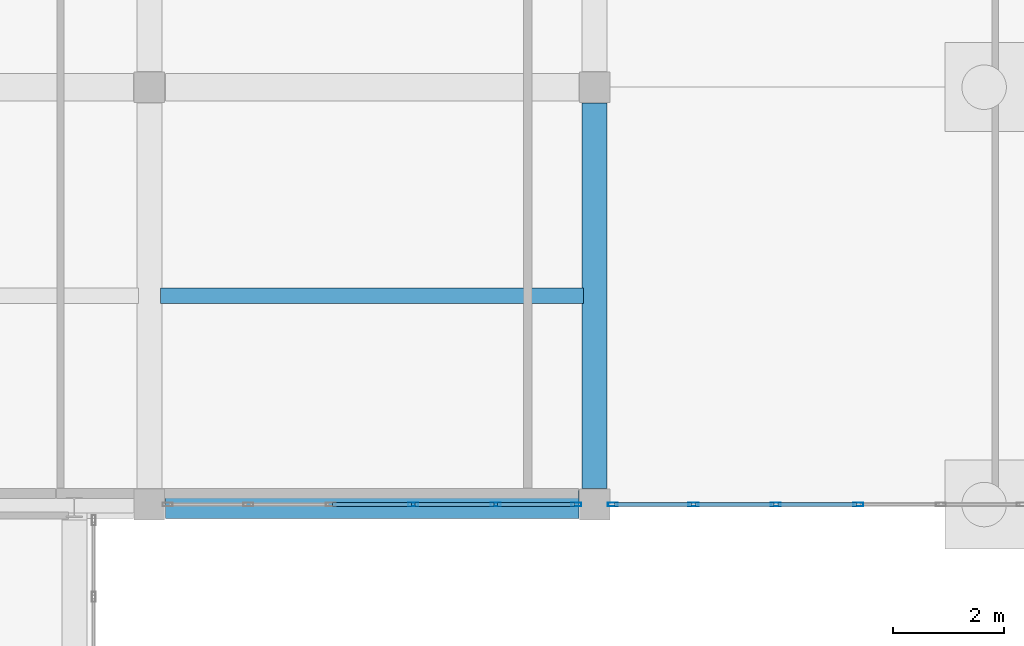
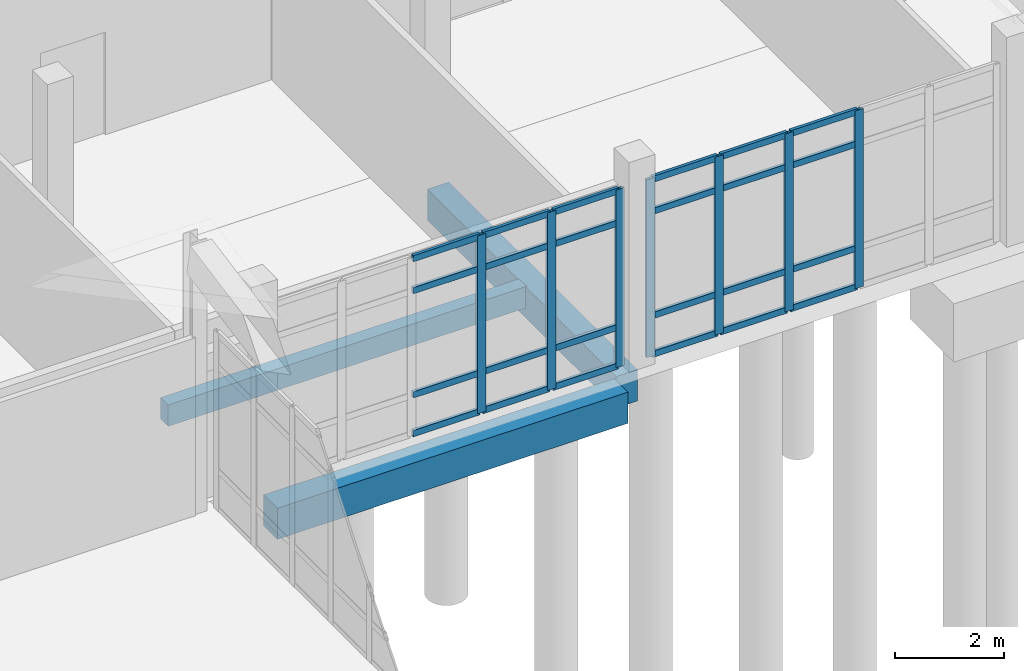
# One storey, part 111 of 173: 31 members, 3 beams, 2 elements without a shape of their own.
"""IFC4 building model written with IfcOpenShell, lengths in metres."""

from ifc_helpers import new_model, si_unit, direction, frame, origin, origin_2d, place, context, subcontext, project, spatial, rectangle, hollow_rectangle, extrude, material, layer, layer_set, material_profile, profile_set, type_object, element, aggregate, save


model = new_model("IFC4")

# Units and contexts
model_context = context("Model", 3, precision=1e-05, world=origin(), true_north=direction((0.0, 1.0)))
body_context = subcontext(model_context, "Body", "Model", "MODEL_VIEW")
ifc_project = project(units=[si_unit("LENGTHUNIT", "METRE"), si_unit("AREAUNIT", "SQUARE_METRE"), si_unit("VOLUMEUNIT", "CUBIC_METRE"), si_unit("PLANEANGLEUNIT", "RADIAN"), si_unit("MASSUNIT", "GRAM", prefix="KILO")], contexts=[model_context])

# Site, building, storey
site_placement = place(None, origin())
site = spatial("IfcSite", under=ifc_project, at=site_placement, CompositionType="ELEMENT")
building_placement = place(site_placement, origin())
building = spatial("IfcBuilding", under=site, at=building_placement, Name="Mawjan Specialist Oncology Clinic", CompositionType="ELEMENT")
storey_placement = place(building_placement, origin())
storey = spatial("IfcBuildingStorey", under=building, at=storey_placement, Name="L00", CompositionType="ELEMENT", Elevation=0.0)

# Beam
ifc_material_1 = material(Name="Concrete C40/50", Category="concrete")
ifc_material_profile_1 = material_profile(ifc_material_1, rectangle(XDim=0.449951171875, YDim=0.699951171875, at=origin_2d()), Name="RC BM 450x700", Category="concrete")
ifc_profile_set_1 = profile_set([ifc_material_profile_1], Name="Concrete C40/50")
beam_type_1 = type_object("IfcBeamType", Name="BM-450x700", PredefinedType="BEAM", material=ifc_profile_set_1)
beam_1_placement = place(storey_placement, frame((148.0, 76.0849609375, -0.800048828125), z_axis=(0.0, 1.0, 0.0), x_axis=(-1.0, 0.0, 0.0)))
element("IfcBeam", 1, at=beam_1_placement, inside=storey, type_object=beam_type_1, Name="L00 Collector Beam BM-L00-0203", PredefinedType="BEAM", context=body_context, shape_type="SweptSolid", body=[
    extrude(rectangle(XDim=0.449951171875, YDim=0.699951171875, at=origin_2d()), origin(), (0.0, 0.0, 1.0), 6.929931640625),
])

# Curtain wall, members
ifc_material_2 = material(Name="Unitised spectrally selective aluminium curtain wall", Category="aluminium")
ifc_layer = layer(ifc_material_2, 0.179931640625, Name="Unitised spectrally selective aluminium curtain wall", Category="aluminium")
ifc_layer_set = layer_set([ifc_layer], Name="Unitised spectrally selective aluminium curtain wall")
curtain_wall_type = type_object("IfcCurtainWallType", Name="CW-17", PredefinedType="NOTDEFINED", material=ifc_layer_set)
curtain_wall_1_placement = place(storey_placement, origin())
curtain_wall_1 = element("IfcCurtainWall", 2, at=curtain_wall_1_placement, inside=storey, type_object=curtain_wall_type, Name="L00 Unitised Curtain Wall CW-L00-030", PredefinedType="NOTDEFINED")
ifc_material_3 = material(Name="Thermally broken aluminium 6063-T6", Category="aluminium")
ifc_material_profile_2 = material_profile(ifc_material_3, hollow_rectangle(XDim=0.06494140625, YDim=0.179931640625, WallThickness=0.00390625, at=origin_2d()), Name="ALU MULLION 180x65x4", Category="aluminium")
ifc_profile_set_2 = profile_set([ifc_material_profile_2], Name="Thermally broken aluminium 6063-T6")
member_type_1 = type_object("IfcMemberType", Name="CW-M180", PredefinedType="MULLION", material=ifc_profile_set_2)
member_1_placement = place(storey_placement, frame((152.740966796875, 75.800048828125, 0.0), z_axis=(0.0, 0.0, 1.0), x_axis=(0.0, -1.0, 0.0)))
member_1 = element("IfcMember", 3, at=member_1_placement, type_object=member_type_1, Name="CW-17 mullion 3", PredefinedType="MULLION", context=body_context, shape_type="SweptSolid", body=[
    extrude(hollow_rectangle(XDim=0.06494140625, YDim=0.179931640625, WallThickness=0.00390625, at=origin_2d()), origin(), (0.0, 0.0, 1.0), 3.985107421875),
])
member_2_placement = place(storey_placement, frame((151.259033203125, 75.800048828125, 0.0), z_axis=(0.0, 0.0, 1.0), x_axis=(0.0, -1.0, 0.0)))
member_2 = element("IfcMember", 4, at=member_2_placement, type_object=member_type_1, Name="CW-17 mullion 4", PredefinedType="MULLION", context=body_context, shape_type="SweptSolid", body=[
    extrude(hollow_rectangle(XDim=0.06494140625, YDim=0.179931640625, WallThickness=0.00390625, at=origin_2d()), origin(), (0.0, 0.0, 1.0), 3.985107421875),
])
member_3_placement = place(storey_placement, frame((149.777099609375, 75.800048828125, 0.0), z_axis=(0.0, 0.0, 1.0), x_axis=(0.0, -1.0, 0.0)))
member_3 = element("IfcMember", 5, at=member_3_placement, type_object=member_type_1, Name="CW-17 mullion 5", PredefinedType="MULLION", context=body_context, shape_type="SweptSolid", body=[
    extrude(hollow_rectangle(XDim=0.06494140625, YDim=0.179931640625, WallThickness=0.00390625, at=origin_2d()), origin(), (0.0, 0.0, 1.0), 3.985107421875),
])
member_4_placement = place(storey_placement, frame((148.327392578125, 75.800048828125, 0.0), z_axis=(0.0, 0.0, 1.0), x_axis=(0.0, -1.0, 0.0)))
member_4 = element("IfcMember", 6, at=member_4_placement, type_object=member_type_1, Name="CW-17 mullion 6", PredefinedType="MULLION", context=body_context, shape_type="SweptSolid", body=[
    extrude(hollow_rectangle(XDim=0.06494140625, YDim=0.179931640625, WallThickness=0.00390625, at=origin_2d()), origin(), (0.0, 0.0, 1.0), 3.985107421875),
])

curtain_wall_2_placement = place(storey_placement, origin())
curtain_wall_2 = element("IfcCurtainWall", 7, at=curtain_wall_2_placement, inside=storey, type_object=curtain_wall_type, Name="L00 Unitised Curtain Wall CW-L00-031", PredefinedType="NOTDEFINED")
member_5_placement = place(storey_placement, frame((147.672607421875, 75.800048828125, 0.0), z_axis=(0.0, 0.0, 1.0), x_axis=(0.0, -1.0, 0.0)))
member_5 = element("IfcMember", 8, at=member_5_placement, type_object=member_type_1, Name="CW-17 mullion 1", PredefinedType="MULLION", context=body_context, shape_type="SweptSolid", body=[
    extrude(hollow_rectangle(XDim=0.06494140625, YDim=0.179931640625, WallThickness=0.00390625, at=origin_2d()), origin(), (0.0, 0.0, 1.0), 3.985107421875),
])
member_6_placement = place(storey_placement, frame((146.222900390625, 75.800048828125, 0.0), z_axis=(0.0, 0.0, 1.0), x_axis=(0.0, -1.0, 0.0)))
member_6 = element("IfcMember", 9, at=member_6_placement, type_object=member_type_1, Name="CW-17 mullion 2", PredefinedType="MULLION", context=body_context, shape_type="SweptSolid", body=[
    extrude(hollow_rectangle(XDim=0.06494140625, YDim=0.179931640625, WallThickness=0.00390625, at=origin_2d()), origin(), (0.0, 0.0, 1.0), 3.985107421875),
])
member_7_placement = place(storey_placement, frame((144.740966796875, 75.800048828125, 0.0), z_axis=(0.0, 0.0, 1.0), x_axis=(0.0, -1.0, 0.0)))
member_7 = element("IfcMember", 10, at=member_7_placement, type_object=member_type_1, Name="CW-17 mullion 3", PredefinedType="MULLION", context=body_context, shape_type="SweptSolid", body=[
    extrude(hollow_rectangle(XDim=0.06494140625, YDim=0.179931640625, WallThickness=0.00390625, at=origin_2d()), origin(), (0.0, 0.0, 1.0), 3.985107421875),
])

# Member
ifc_material_4 = material(Name="Thermally broken aluminium 6063-T6", Category="aluminium")
ifc_material_profile_3 = material_profile(ifc_material_4, hollow_rectangle(XDim=0.06494140625, YDim=0.139892578125, WallThickness=0.00390625, at=origin_2d()), Name="ALU TRANSOM 140x65x4", Category="aluminium")
ifc_profile_set_3 = profile_set([ifc_material_profile_3], Name="Thermally broken aluminium 6063-T6")
member_type_2 = type_object("IfcMemberType", Name="CW-T140", PredefinedType="USERDEFINED", material=ifc_profile_set_3)
member_8_placement = place(storey_placement, frame((152.70849609375, 75.800048828125, 0.032470703125), z_axis=(-1.0, 0.0, 0.0), x_axis=(0.0, -1.0, 0.0)))
member_8 = element("IfcMember", 11, at=member_8_placement, type_object=member_type_2, Name="CW-17 transom 3.1", ObjectType="TRANSOM", PredefinedType="USERDEFINED", context=body_context, shape_type="SweptSolid", body=[
    extrude(hollow_rectangle(XDim=0.06494140625, YDim=0.139892578125, WallThickness=0.00390625, at=origin_2d()), origin(), (0.0, 0.0, 1.0), 1.4169921875),
])

member_9_placement = place(storey_placement, frame((152.70849609375, 75.800048828125, 0.89990234375), z_axis=(-1.0, 0.0, 0.0), x_axis=(0.0, -1.0, 0.0)))
member_9 = element("IfcMember", 12, at=member_9_placement, type_object=member_type_2, Name="CW-17 transom 3.2", ObjectType="TRANSOM", PredefinedType="USERDEFINED", context=body_context, shape_type="SweptSolid", body=[
    extrude(hollow_rectangle(XDim=0.06494140625, YDim=0.139892578125, WallThickness=0.00390625, at=origin_2d()), origin(), (0.0, 0.0, 1.0), 1.4169921875),
])

member_10_placement = place(storey_placement, frame((152.70849609375, 75.800048828125, 3.235107421875), z_axis=(-1.0, 0.0, 0.0), x_axis=(0.0, -1.0, 0.0)))
member_10 = element("IfcMember", 13, at=member_10_placement, type_object=member_type_2, Name="CW-17 transom 3.3", ObjectType="TRANSOM", PredefinedType="USERDEFINED", context=body_context, shape_type="SweptSolid", body=[
    extrude(hollow_rectangle(XDim=0.06494140625, YDim=0.139892578125, WallThickness=0.00390625, at=origin_2d()), origin(), (0.0, 0.0, 1.0), 1.4169921875),
])

member_11_placement = place(storey_placement, frame((152.70849609375, 75.800048828125, 3.952392578125), z_axis=(-1.0, 0.0, 0.0), x_axis=(0.0, -1.0, 0.0)))
member_11 = element("IfcMember", 14, at=member_11_placement, type_object=member_type_2, Name="CW-17 transom 3.4", ObjectType="TRANSOM", PredefinedType="USERDEFINED", context=body_context, shape_type="SweptSolid", body=[
    extrude(hollow_rectangle(XDim=0.06494140625, YDim=0.139892578125, WallThickness=0.00390625, at=origin_2d()), origin(), (0.0, 0.0, 1.0), 1.4169921875),
])

member_12_placement = place(storey_placement, frame((151.2265625, 75.800048828125, 0.032470703125), z_axis=(-1.0, 0.0, 0.0), x_axis=(0.0, -1.0, 0.0)))
member_12 = element("IfcMember", 15, at=member_12_placement, type_object=member_type_2, Name="CW-17 transom 4.1", ObjectType="TRANSOM", PredefinedType="USERDEFINED", context=body_context, shape_type="SweptSolid", body=[
    extrude(hollow_rectangle(XDim=0.06494140625, YDim=0.139892578125, WallThickness=0.00390625, at=origin_2d()), origin(), (0.0, 0.0, 1.0), 1.4169921875),
])

member_13_placement = place(storey_placement, frame((151.2265625, 75.800048828125, 0.89990234375), z_axis=(-1.0, 0.0, 0.0), x_axis=(0.0, -1.0, 0.0)))
member_13 = element("IfcMember", 16, at=member_13_placement, type_object=member_type_2, Name="CW-17 transom 4.2", ObjectType="TRANSOM", PredefinedType="USERDEFINED", context=body_context, shape_type="SweptSolid", body=[
    extrude(hollow_rectangle(XDim=0.06494140625, YDim=0.139892578125, WallThickness=0.00390625, at=origin_2d()), origin(), (0.0, 0.0, 1.0), 1.4169921875),
])

member_14_placement = place(storey_placement, frame((151.2265625, 75.800048828125, 3.235107421875), z_axis=(-1.0, 0.0, 0.0), x_axis=(0.0, -1.0, 0.0)))
member_14 = element("IfcMember", 17, at=member_14_placement, type_object=member_type_2, Name="CW-17 transom 4.3", ObjectType="TRANSOM", PredefinedType="USERDEFINED", context=body_context, shape_type="SweptSolid", body=[
    extrude(hollow_rectangle(XDim=0.06494140625, YDim=0.139892578125, WallThickness=0.00390625, at=origin_2d()), origin(), (0.0, 0.0, 1.0), 1.4169921875),
])

member_15_placement = place(storey_placement, frame((151.2265625, 75.800048828125, 3.952392578125), z_axis=(-1.0, 0.0, 0.0), x_axis=(0.0, -1.0, 0.0)))
member_15 = element("IfcMember", 18, at=member_15_placement, type_object=member_type_2, Name="CW-17 transom 4.4", ObjectType="TRANSOM", PredefinedType="USERDEFINED", context=body_context, shape_type="SweptSolid", body=[
    extrude(hollow_rectangle(XDim=0.06494140625, YDim=0.139892578125, WallThickness=0.00390625, at=origin_2d()), origin(), (0.0, 0.0, 1.0), 1.4169921875),
])

member_16_placement = place(storey_placement, frame((149.744384765625, 75.800048828125, 0.032470703125), z_axis=(-1.0, 0.0, 0.0), x_axis=(0.0, -1.0, 0.0)))
member_16 = element("IfcMember", 19, at=member_16_placement, type_object=member_type_2, Name="CW-17 transom 5.1", ObjectType="TRANSOM", PredefinedType="USERDEFINED", context=body_context, shape_type="SweptSolid", body=[
    extrude(hollow_rectangle(XDim=0.06494140625, YDim=0.139892578125, WallThickness=0.00390625, at=origin_2d()), origin(), (0.0, 0.0, 1.0), 1.38427734375),
])

member_17_placement = place(storey_placement, frame((149.744384765625, 75.800048828125, 0.89990234375), z_axis=(-1.0, 0.0, 0.0), x_axis=(0.0, -1.0, 0.0)))
member_17 = element("IfcMember", 20, at=member_17_placement, type_object=member_type_2, Name="CW-17 transom 5.2", ObjectType="TRANSOM", PredefinedType="USERDEFINED", context=body_context, shape_type="SweptSolid", body=[
    extrude(hollow_rectangle(XDim=0.06494140625, YDim=0.139892578125, WallThickness=0.00390625, at=origin_2d()), origin(), (0.0, 0.0, 1.0), 1.38427734375),
])

member_18_placement = place(storey_placement, frame((149.744384765625, 75.800048828125, 3.235107421875), z_axis=(-1.0, 0.0, 0.0), x_axis=(0.0, -1.0, 0.0)))
member_18 = element("IfcMember", 21, at=member_18_placement, type_object=member_type_2, Name="CW-17 transom 5.3", ObjectType="TRANSOM", PredefinedType="USERDEFINED", context=body_context, shape_type="SweptSolid", body=[
    extrude(hollow_rectangle(XDim=0.06494140625, YDim=0.139892578125, WallThickness=0.00390625, at=origin_2d()), origin(), (0.0, 0.0, 1.0), 1.38427734375),
])

member_19_placement = place(storey_placement, frame((149.744384765625, 75.800048828125, 3.952392578125), z_axis=(-1.0, 0.0, 0.0), x_axis=(0.0, -1.0, 0.0)))
member_19 = element("IfcMember", 22, at=member_19_placement, type_object=member_type_2, Name="CW-17 transom 5.4", ObjectType="TRANSOM", PredefinedType="USERDEFINED", context=body_context, shape_type="SweptSolid", body=[
    extrude(hollow_rectangle(XDim=0.06494140625, YDim=0.139892578125, WallThickness=0.00390625, at=origin_2d()), origin(), (0.0, 0.0, 1.0), 1.38427734375),
])

aggregate(curtain_wall_1, [member_1, member_2, member_3, member_4, member_8, member_9, member_10, member_11, member_12, member_13, member_14, member_15, member_16, member_17, member_18, member_19])

member_20_placement = place(storey_placement, frame((147.639892578125, 75.800048828125, 0.032470703125), z_axis=(-1.0, 0.0, 0.0), x_axis=(0.0, -1.0, 0.0)))
member_20 = element("IfcMember", 23, at=member_20_placement, type_object=member_type_2, Name="CW-17 transom 1.1", ObjectType="TRANSOM", PredefinedType="USERDEFINED", context=body_context, shape_type="SweptSolid", body=[
    extrude(hollow_rectangle(XDim=0.06494140625, YDim=0.139892578125, WallThickness=0.00390625, at=origin_2d()), origin(), (0.0, 0.0, 1.0), 1.38427734375),
])

member_21_placement = place(storey_placement, frame((147.639892578125, 75.800048828125, 0.89990234375), z_axis=(-1.0, 0.0, 0.0), x_axis=(0.0, -1.0, 0.0)))
member_21 = element("IfcMember", 24, at=member_21_placement, type_object=member_type_2, Name="CW-17 transom 1.2", ObjectType="TRANSOM", PredefinedType="USERDEFINED", context=body_context, shape_type="SweptSolid", body=[
    extrude(hollow_rectangle(XDim=0.06494140625, YDim=0.139892578125, WallThickness=0.00390625, at=origin_2d()), origin(), (0.0, 0.0, 1.0), 1.38427734375),
])

member_22_placement = place(storey_placement, frame((147.639892578125, 75.800048828125, 3.235107421875), z_axis=(-1.0, 0.0, 0.0), x_axis=(0.0, -1.0, 0.0)))
member_22 = element("IfcMember", 25, at=member_22_placement, type_object=member_type_2, Name="CW-17 transom 1.3", ObjectType="TRANSOM", PredefinedType="USERDEFINED", context=body_context, shape_type="SweptSolid", body=[
    extrude(hollow_rectangle(XDim=0.06494140625, YDim=0.139892578125, WallThickness=0.00390625, at=origin_2d()), origin(), (0.0, 0.0, 1.0), 1.38427734375),
])

member_23_placement = place(storey_placement, frame((147.639892578125, 75.800048828125, 3.952392578125), z_axis=(-1.0, 0.0, 0.0), x_axis=(0.0, -1.0, 0.0)))
member_23 = element("IfcMember", 26, at=member_23_placement, type_object=member_type_2, Name="CW-17 transom 1.4", ObjectType="TRANSOM", PredefinedType="USERDEFINED", context=body_context, shape_type="SweptSolid", body=[
    extrude(hollow_rectangle(XDim=0.06494140625, YDim=0.139892578125, WallThickness=0.00390625, at=origin_2d()), origin(), (0.0, 0.0, 1.0), 1.38427734375),
])

member_24_placement = place(storey_placement, frame((146.1904296875, 75.800048828125, 0.032470703125), z_axis=(-1.0, 0.0, 0.0), x_axis=(0.0, -1.0, 0.0)))
member_24 = element("IfcMember", 27, at=member_24_placement, type_object=member_type_2, Name="CW-17 transom 2.1", ObjectType="TRANSOM", PredefinedType="USERDEFINED", context=body_context, shape_type="SweptSolid", body=[
    extrude(hollow_rectangle(XDim=0.06494140625, YDim=0.139892578125, WallThickness=0.00390625, at=origin_2d()), origin(), (0.0, 0.0, 1.0), 1.4169921875),
])

member_25_placement = place(storey_placement, frame((146.1904296875, 75.800048828125, 0.89990234375), z_axis=(-1.0, 0.0, 0.0), x_axis=(0.0, -1.0, 0.0)))
member_25 = element("IfcMember", 28, at=member_25_placement, type_object=member_type_2, Name="CW-17 transom 2.2", ObjectType="TRANSOM", PredefinedType="USERDEFINED", context=body_context, shape_type="SweptSolid", body=[
    extrude(hollow_rectangle(XDim=0.06494140625, YDim=0.139892578125, WallThickness=0.00390625, at=origin_2d()), origin(), (0.0, 0.0, 1.0), 1.4169921875),
])

member_26_placement = place(storey_placement, frame((146.1904296875, 75.800048828125, 3.235107421875), z_axis=(-1.0, 0.0, 0.0), x_axis=(0.0, -1.0, 0.0)))
member_26 = element("IfcMember", 29, at=member_26_placement, type_object=member_type_2, Name="CW-17 transom 2.3", ObjectType="TRANSOM", PredefinedType="USERDEFINED", context=body_context, shape_type="SweptSolid", body=[
    extrude(hollow_rectangle(XDim=0.06494140625, YDim=0.139892578125, WallThickness=0.00390625, at=origin_2d()), origin(), (0.0, 0.0, 1.0), 1.4169921875),
])

member_27_placement = place(storey_placement, frame((146.1904296875, 75.800048828125, 3.952392578125), z_axis=(-1.0, 0.0, 0.0), x_axis=(0.0, -1.0, 0.0)))
member_27 = element("IfcMember", 30, at=member_27_placement, type_object=member_type_2, Name="CW-17 transom 2.4", ObjectType="TRANSOM", PredefinedType="USERDEFINED", context=body_context, shape_type="SweptSolid", body=[
    extrude(hollow_rectangle(XDim=0.06494140625, YDim=0.139892578125, WallThickness=0.00390625, at=origin_2d()), origin(), (0.0, 0.0, 1.0), 1.4169921875),
])

member_28_placement = place(storey_placement, frame((144.70849609375, 75.800048828125, 0.032470703125), z_axis=(-1.0, 0.0, 0.0), x_axis=(0.0, -1.0, 0.0)))
member_28 = element("IfcMember", 31, at=member_28_placement, type_object=member_type_2, Name="CW-17 transom 3.1", ObjectType="TRANSOM", PredefinedType="USERDEFINED", context=body_context, shape_type="SweptSolid", body=[
    extrude(hollow_rectangle(XDim=0.06494140625, YDim=0.139892578125, WallThickness=0.00390625, at=origin_2d()), origin(), (0.0, 0.0, 1.0), 1.4169921875),
])

member_29_placement = place(storey_placement, frame((144.70849609375, 75.800048828125, 0.89990234375), z_axis=(-1.0, 0.0, 0.0), x_axis=(0.0, -1.0, 0.0)))
member_29 = element("IfcMember", 32, at=member_29_placement, type_object=member_type_2, Name="CW-17 transom 3.2", ObjectType="TRANSOM", PredefinedType="USERDEFINED", context=body_context, shape_type="SweptSolid", body=[
    extrude(hollow_rectangle(XDim=0.06494140625, YDim=0.139892578125, WallThickness=0.00390625, at=origin_2d()), origin(), (0.0, 0.0, 1.0), 1.4169921875),
])

member_30_placement = place(storey_placement, frame((144.70849609375, 75.800048828125, 3.235107421875), z_axis=(-1.0, 0.0, 0.0), x_axis=(0.0, -1.0, 0.0)))
member_30 = element("IfcMember", 33, at=member_30_placement, type_object=member_type_2, Name="CW-17 transom 3.3", ObjectType="TRANSOM", PredefinedType="USERDEFINED", context=body_context, shape_type="SweptSolid", body=[
    extrude(hollow_rectangle(XDim=0.06494140625, YDim=0.139892578125, WallThickness=0.00390625, at=origin_2d()), origin(), (0.0, 0.0, 1.0), 1.4169921875),
])

member_31_placement = place(storey_placement, frame((144.70849609375, 75.800048828125, 3.952392578125), z_axis=(-1.0, 0.0, 0.0), x_axis=(0.0, -1.0, 0.0)))
member_31 = element("IfcMember", 34, at=member_31_placement, type_object=member_type_2, Name="CW-17 transom 3.4", ObjectType="TRANSOM", PredefinedType="USERDEFINED", context=body_context, shape_type="SweptSolid", body=[
    extrude(hollow_rectangle(XDim=0.06494140625, YDim=0.139892578125, WallThickness=0.00390625, at=origin_2d()), origin(), (0.0, 0.0, 1.0), 1.4169921875),
])

aggregate(curtain_wall_2, [member_5, member_6, member_7, member_20, member_21, member_22, member_23, member_24, member_25, member_26, member_27, member_28, member_29, member_30, member_31])

# Beams
ifc_material_5 = material(Name="Concrete C40/50", Category="concrete")
ifc_material_profile_4 = material_profile(ifc_material_5, rectangle(XDim=0.280029296875, YDim=0.47998046875, at=origin_2d()), Name="RC JOIST 280x480", Category="concrete")
ifc_profile_set_4 = profile_set([ifc_material_profile_4], Name="Concrete C40/50")
beam_type_2 = type_object("IfcBeamType", Name="JST-RC280", PredefinedType="JOIST", material=ifc_profile_set_4)
beam_2_placement = place(storey_placement, frame((140.199951171875, 79.550048828125, -0.68994140625), z_axis=(1.0, 0.0, 0.0), x_axis=(0.0, 1.0, 0.0)))
element("IfcBeam", 35, at=beam_2_placement, inside=storey, type_object=beam_type_2, Name="L00 Secondary Floor Joist 8", PredefinedType="JOIST", context=body_context, shape_type="SweptSolid", body=[
    extrude(rectangle(XDim=0.280029296875, YDim=0.47998046875, at=origin_2d()), origin(), (0.0, 0.0, 1.0), 7.60009765625),
])
ifc_material_6 = material(Name="Concrete C45/55", Category="concrete")
ifc_material_profile_5 = material_profile(ifc_material_6, rectangle(XDim=0.5, YDim=0.699951171875, at=origin_2d()), Name="RC BM 500x700", Category="concrete")
ifc_profile_set_5 = profile_set([ifc_material_profile_5], Name="Concrete C45/55")
beam_type_3 = type_object("IfcBeamType", Name="SP-500x700", PredefinedType="SPANDREL", material=ifc_profile_set_5)
beam_3_placement = place(storey_placement, frame((140.284912109375, 75.800048828125, -0.800048828125), z_axis=(1.0, 0.0, 0.0), x_axis=(0.0, 1.0, 0.0)))
element("IfcBeam", 36, at=beam_3_placement, inside=storey, type_object=beam_type_3, Name="L00 Spandrel Beam BM-L00-0023", PredefinedType="SPANDREL", context=body_context, shape_type="SweptSolid", body=[
    extrude(rectangle(XDim=0.5, YDim=0.699951171875, at=origin_2d()), origin(), (0.0, 0.0, 1.0), 7.43017578125),
])

save(model, "model.ifc")
